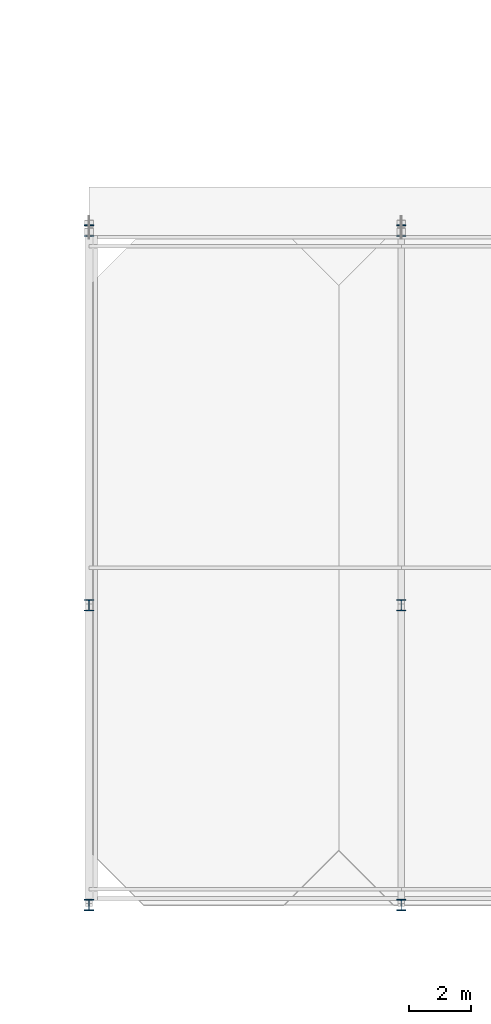
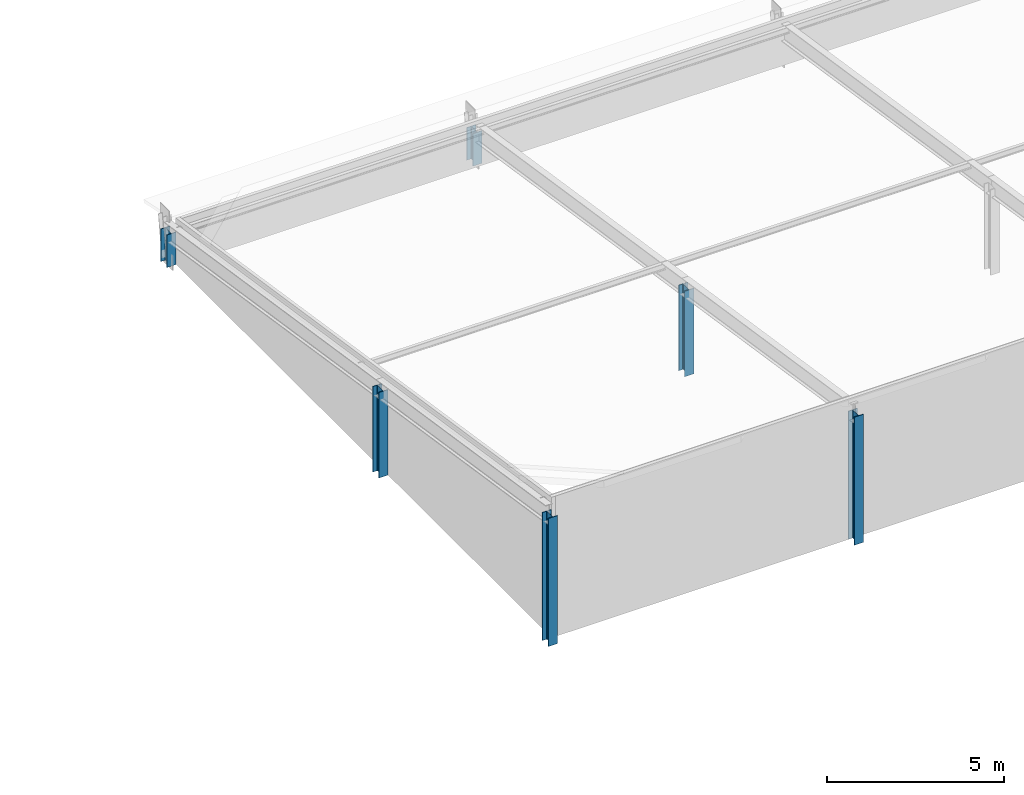
# One storey, part 7 of 89: 6 columns.
"""IFC4 building model written with IfcOpenShell, lengths in metres."""

import ifcopenshell
import ifcopenshell.guid

model = None  # the IFC model being written
_history = None  # IfcOwnerHistory: only IFC2X3 demands one
_inside = {}  # id of a spatial element -> (the spatial element, [elements in it])
_under = {}  # id of a project, library or spatial element -> (it, [spatial elements below it])
_declared = {}  # id of a project -> (the project, [libraries it declares])
_typed = {}  # id of a type object -> (the type object, [elements of that type])
_made_of = {}  # id of a material, layer set ... -> (it, [elements and type objects made of it])


def new_model(schema):
    """Start an empty IFC model of exactly this schema.

    Asked for "IFC4X3", IfcOpenShell would pick the latest addendum, in which some entities
    have other attributes; the version numbers below select the first issue.
    IFC2X3 requires an IfcOwnerHistory on every rooted entity: one is made here for all.
    """
    global model, _history
    if schema == "IFC4X3":
        model = ifcopenshell.file(schema_version=(4, 3, 0, 0))
    else:
        model = ifcopenshell.file(schema=schema)
    _inside.clear()
    _under.clear()
    _declared.clear()
    _typed.clear()
    _made_of.clear()
    _history = None
    if model.schema == "IFC2X3":
        org = make("IfcOrganization", Name="unknown")
        user = make(
            "IfcPersonAndOrganization",
            ThePerson=make("IfcPerson", FamilyName="unknown"),
            TheOrganization=org,
        )
        app = make(
            "IfcApplication",
            ApplicationDeveloper=org,
            Version="unknown",
            ApplicationFullName="unknown",
            ApplicationIdentifier="unknown",
        )
        _history = make(
            "IfcOwnerHistory",
            OwningUser=user,
            OwningApplication=app,
            ChangeAction="ADDED",
            CreationDate=0,
        )
    return model


def make(cls, **values):
    """One entity of the class cls with the attributes given. An attribute that is None is left unset."""
    return model.create_entity(
        cls, **{name: value for name, value in values.items() if value is not None}
    )


def rooted(cls, **values):
    """An entity with a GlobalId (a new one), such as an element, a storey or a relation."""
    return make(cls, GlobalId=ifcopenshell.guid.new(), OwnerHistory=_history, **values)


def si_unit(unit_type, name, prefix=None):
    """IfcSIUnit, for example si_unit("LENGTHUNIT", "METRE", prefix="MILLI")."""
    return make("IfcSIUnit", UnitType=unit_type, Prefix=prefix, Name=name)


def assignment(units):
    """IfcUnitAssignment: the units of a project."""
    return None if units is None else make("IfcUnitAssignment", Units=units)


def point(xyz):
    """IfcCartesianPoint."""
    return None if xyz is None else make("IfcCartesianPoint", Coordinates=xyz)


def direction(xyz):
    """IfcDirection."""
    return None if xyz is None else make("IfcDirection", DirectionRatios=xyz)


def frame(location, z_axis=None, x_axis=None):
    """IfcAxis2Placement3D, a coordinate frame: its origin and axes. An axis left out is left unset."""
    return make(
        "IfcAxis2Placement3D",
        Location=point(location),
        Axis=direction(z_axis),
        RefDirection=direction(x_axis),
    )


def frame_2d(location, x_axis=None):
    """IfcAxis2Placement2D, a coordinate frame in the plane: its origin and x axis."""
    return make(
        "IfcAxis2Placement2D", Location=point(location), RefDirection=direction(x_axis)
    )


def origin():
    """The frame at (0, 0, 0) with its axes left unset."""
    return frame((0.0, 0.0, 0.0))


def origin_2d():
    """The frame at (0, 0) in the plane with its x axis left unset."""
    return frame_2d((0.0, 0.0))


def place(relative_to, where):
    """IfcLocalPlacement: puts the frame where relative to a parent placement (None: the world)."""
    return make(
        "IfcLocalPlacement", PlacementRelTo=relative_to, RelativePlacement=where
    )


def context(
    kind, dimensions, precision=None, world=None, true_north=None, identifier=None
):
    """IfcGeometricRepresentationContext, for example the 3D "Model" context."""
    return make(
        "IfcGeometricRepresentationContext",
        ContextIdentifier=identifier,
        ContextType=kind,
        CoordinateSpaceDimension=dimensions,
        Precision=precision,
        WorldCoordinateSystem=world,
        TrueNorth=true_north,
    )


def subcontext(parent, identifier, kind, view, scale=None):
    """IfcGeometricRepresentationSubContext, for example "Body" below "Model"."""
    return make(
        "IfcGeometricRepresentationSubContext",
        ContextIdentifier=identifier,
        ContextType=kind,
        ParentContext=parent,
        TargetScale=scale,
        TargetView=view,
    )


def project(units=None, contexts=None):
    """IfcProject with its units and contexts."""
    return rooted(
        "IfcProject",
        Name="project",
        RepresentationContexts=contexts,
        UnitsInContext=assignment(units),
    )


def spatial(cls, under=None, at=None, **own):
    """A site, building, storey or space (cls), placed at a placement, below another one or the project."""
    s = rooted(cls, ObjectPlacement=at, **own)
    if under is not None:
        _under.setdefault(under.id(), (under, []))[1].append(s)
    return s


def profile(cls, at=None, kind="AREA", **sizes):
    """A parametric profile (cls). Its sizes go by their IFC names, for example OverallWidth=200.0."""
    return make(cls, ProfileType=kind, Position=at, **sizes)


def i_section(**sizes):
    """IfcIShapeProfileDef."""
    return profile("IfcIShapeProfileDef", **sizes)


def extrude(swept, where, along, depth):
    """IfcExtrudedAreaSolid: the profile swept, set in the frame where, extruded along a direction by depth."""
    return make(
        "IfcExtrudedAreaSolid",
        SweptArea=swept,
        Position=where,
        ExtrudedDirection=direction(along),
        Depth=depth,
    )


def shape(context_of_items, identifier, shape_type, items):
    """IfcShapeRepresentation: the items that make up one representation, for example the "Body"."""
    return make(
        "IfcShapeRepresentation",
        ContextOfItems=context_of_items,
        RepresentationIdentifier=identifier,
        RepresentationType=shape_type,
        Items=items,
    )


def material(Name=None, Category=None):
    """IfcMaterial."""
    return make("IfcMaterial", Name=Name, Category=Category)


def material_profile(
    of_material, cross_section, Name=None, Category=None, Priority=None
):
    """IfcMaterialProfile: a cross section and its material."""
    return make(
        "IfcMaterialProfile",
        Name=Name,
        Material=of_material,
        Profile=cross_section,
        Priority=Priority,
        Category=Category,
    )


def profile_set(profiles, Name=None, composite=None):
    """IfcMaterialProfileSet."""
    return make(
        "IfcMaterialProfileSet",
        Name=Name,
        MaterialProfiles=profiles,
        CompositeProfile=composite,
    )


def made_of(thing, what):
    """Note that an element or type object is made of a material, layer set ...; save() writes the relation."""
    if what is not None:
        _made_of.setdefault(what.id(), (what, []))[1].append(thing)
    return thing


def type_object(cls, material=None, **own):
    """A type object (cls), such as IfcWallType, which elements share."""
    return made_of(rooted(cls, **own), material)


def element(
    cls,
    number,
    at=None,
    inside=None,
    cuts=None,
    type_object=None,
    material=None,
    context=None,
    identifier="Body",
    shape_type=None,
    held_by="IfcProductDefinitionShape",
    body=None,
    shapes=None,
    **own,
):
    """One element of the class cls, such as IfcWall. Its Tag is "e" and its number.

    at: its placement. inside: the storey or other place that contains it. cuts: it is an
    opening in that element (IfcRelVoidsElement). A single representation is given by context,
    identifier, shape_type and body (its items); several are given by shapes. held_by: the class
    of the entity that holds the representations. save() writes the other relations.
    """
    e = rooted(cls, Tag="e%d" % number, ObjectPlacement=at, **own)
    if body is not None:
        shapes = [shape(context, identifier, shape_type, body)]
    if shapes is not None:
        e.Representation = make(held_by, Representations=shapes)
    if inside is not None:
        _inside.setdefault(inside.id(), (inside, []))[1].append(e)
    if cuts is not None:
        rooted(
            "IfcRelVoidsElement", RelatingBuildingElement=cuts, RelatedOpeningElement=e
        )
    if type_object is not None:
        _typed.setdefault(type_object.id(), (type_object, []))[1].append(e)
    return made_of(e, material)


def aggregate(whole, parts):
    """IfcRelAggregates: a whole, such as a stair, and the parts it consists of."""
    return rooted("IfcRelAggregates", RelatingObject=whole, RelatedObjects=parts)


def save(model, path):
    """Write the relations noted so far, then the file.

    IfcRelAggregates (storeys below a building ...), IfcRelContainedInSpatialStructure (elements
    in a storey), IfcRelDefinesByType, IfcRelAssociatesMaterial and IfcRelDeclares: one each for
    every whole, place, type object, material and project.
    """
    for whole, parts in _under.values():
        aggregate(whole, parts)
    for where, things in _inside.values():
        rooted(
            "IfcRelContainedInSpatialStructure",
            RelatedElements=things,
            RelatingStructure=where,
        )
    for kind, things in _typed.values():
        rooted("IfcRelDefinesByType", RelatedObjects=things, RelatingType=kind)
    for what, things in _made_of.values():
        rooted("IfcRelAssociatesMaterial", RelatedObjects=things, RelatingMaterial=what)
    for by, libraries in _declared.values():
        rooted("IfcRelDeclares", RelatingContext=by, RelatedDefinitions=libraries)
    model.write(path)


model = new_model("IFC4")

# Units and contexts
model_context = context("Model", 3, precision=1e-05, world=origin(), true_north=direction((0.0, 1.0)))
body_context = subcontext(model_context, "Body", "Model", "MODEL_VIEW")
ifc_project = project(units=[si_unit("LENGTHUNIT", "METRE"), si_unit("AREAUNIT", "SQUARE_METRE"), si_unit("VOLUMEUNIT", "CUBIC_METRE"), si_unit("PLANEANGLEUNIT", "RADIAN"), si_unit("MASSUNIT", "GRAM", prefix="KILO")], contexts=[model_context])

# Site, building, storey
site_placement = place(None, origin())
site = spatial("IfcSite", under=ifc_project, at=site_placement, CompositionType="ELEMENT")
building_placement = place(site_placement, origin())
building = spatial("IfcBuilding", under=site, at=building_placement, Name="Zereglee Splitstone Museum", CompositionType="ELEMENT")
storey_placement = place(building_placement, frame((0.0, 0.0, 21.300048828125)))
storey = spatial("IfcBuildingStorey", under=building, at=storey_placement, Name="L04", CompositionType="ELEMENT", Elevation=21.300048828125)

# Columns
ifc_material = material(Name="Steel S355J2", Category="steel")
ifc_material_profile = material_profile(ifc_material, i_section(OverallWidth=0.300048828125, OverallDepth=0.360107421875, WebThickness=0.012451171875, FlangeThickness=0.0224609375, FilletRadius=0.027099609375, at=origin_2d()), Name="HE 360 B")
ifc_profile_set = profile_set([ifc_material_profile], Name="Steel S355J2")
column_type = type_object("IfcColumnType", Name="C-16", PredefinedType="COLUMN", material=ifc_profile_set)
column_1_placement = place(storey_placement, frame((175.199951171875, 0.0, 0.0), z_axis=(0.0, 0.0, 1.0), x_axis=(1.0, 0.0, 0.0)))
element("IfcColumn", 1, at=column_1_placement, inside=storey, type_object=column_type, Name="Roof Support Column RF-V3 (175.2,0.0)", PredefinedType="COLUMN", context=body_context, shape_type="SweptSolid", body=[
    extrude(i_section(OverallWidth=0.300048828125, OverallDepth=0.360107421875, WebThickness=0.012451171875, FlangeThickness=0.0224609375, FilletRadius=0.027099609375, at=origin_2d()), origin(), (0.0, 0.0, 1.0), 4.423828125),
])
column_2_placement = place(storey_placement, frame((175.199951171875, 9.60009765625, 0.0), z_axis=(0.0, 0.0, 1.0), x_axis=(1.0, 0.0, 0.0)))
element("IfcColumn", 2, at=column_2_placement, inside=storey, type_object=column_type, Name="Roof Support Column RF-V3 (175.2,9.6)", PredefinedType="COLUMN", context=body_context, shape_type="SweptSolid", body=[
    extrude(i_section(OverallWidth=0.300048828125, OverallDepth=0.360107421875, WebThickness=0.012451171875, FlangeThickness=0.0224609375, FilletRadius=0.027099609375, at=origin_2d()), origin(), (0.0, 0.0, 1.0), 2.957275390625),
])
column_3_placement = place(storey_placement, frame((175.199951171875, 21.60009765625, 0.0), z_axis=(0.0, 0.0, 1.0), x_axis=(1.0, 0.0, 0.0)))
element("IfcColumn", 3, at=column_3_placement, inside=storey, type_object=column_type, Name="Roof Support Column RF-V3 (175.2,21.6)", PredefinedType="COLUMN", context=body_context, shape_type="SweptSolid", body=[
    extrude(i_section(OverallWidth=0.300048828125, OverallDepth=0.360107421875, WebThickness=0.012451171875, FlangeThickness=0.0224609375, FilletRadius=0.027099609375, at=origin_2d()), origin(), (0.0, 0.0, 1.0), 1.1240234375),
])
column_4_placement = place(storey_placement, frame((185.199951171875, 0.0, 0.0), z_axis=(0.0, 0.0, 1.0), x_axis=(1.0, 0.0, 0.0)))
element("IfcColumn", 4, at=column_4_placement, inside=storey, type_object=column_type, Name="Roof Support Column RF-V3 (185.2,0.0)", PredefinedType="COLUMN", context=body_context, shape_type="SweptSolid", body=[
    extrude(i_section(OverallWidth=0.300048828125, OverallDepth=0.360107421875, WebThickness=0.012451171875, FlangeThickness=0.0224609375, FilletRadius=0.027099609375, at=origin_2d()), origin(), (0.0, 0.0, 1.0), 4.423828125),
])
column_5_placement = place(storey_placement, frame((185.199951171875, 9.60009765625, 0.0), z_axis=(0.0, 0.0, 1.0), x_axis=(1.0, 0.0, 0.0)))
element("IfcColumn", 5, at=column_5_placement, inside=storey, type_object=column_type, Name="Roof Support Column RF-V3 (185.2,9.6)", PredefinedType="COLUMN", context=body_context, shape_type="SweptSolid", body=[
    extrude(i_section(OverallWidth=0.300048828125, OverallDepth=0.360107421875, WebThickness=0.012451171875, FlangeThickness=0.0224609375, FilletRadius=0.027099609375, at=origin_2d()), origin(), (0.0, 0.0, 1.0), 2.957275390625),
])
column_6_placement = place(storey_placement, frame((185.199951171875, 21.60009765625, 0.0), z_axis=(0.0, 0.0, 1.0), x_axis=(1.0, 0.0, 0.0)))
element("IfcColumn", 6, at=column_6_placement, inside=storey, type_object=column_type, Name="Roof Support Column RF-V3 (185.2,21.6)", PredefinedType="COLUMN", context=body_context, shape_type="SweptSolid", body=[
    extrude(i_section(OverallWidth=0.300048828125, OverallDepth=0.360107421875, WebThickness=0.012451171875, FlangeThickness=0.0224609375, FilletRadius=0.027099609375, at=origin_2d()), origin(), (0.0, 0.0, 1.0), 1.1240234375),
])

save(model, "model.ifc")
